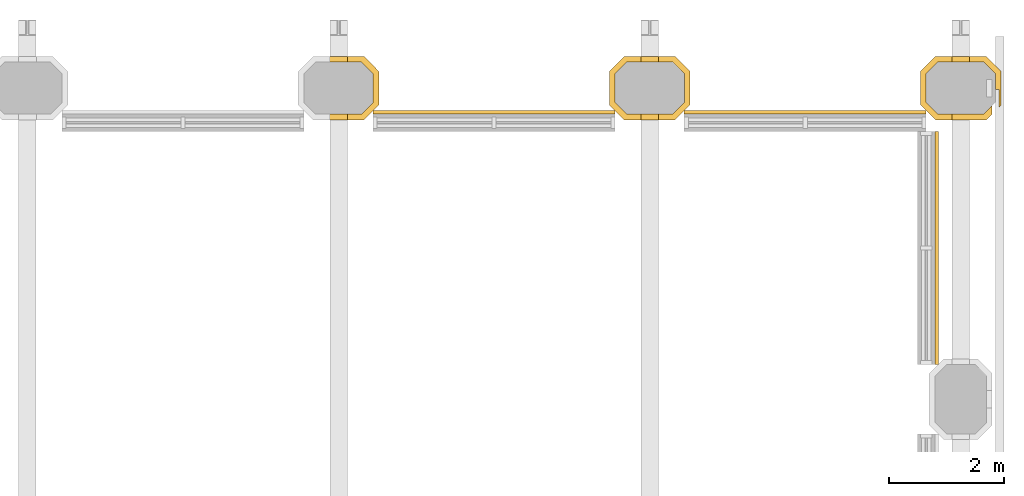
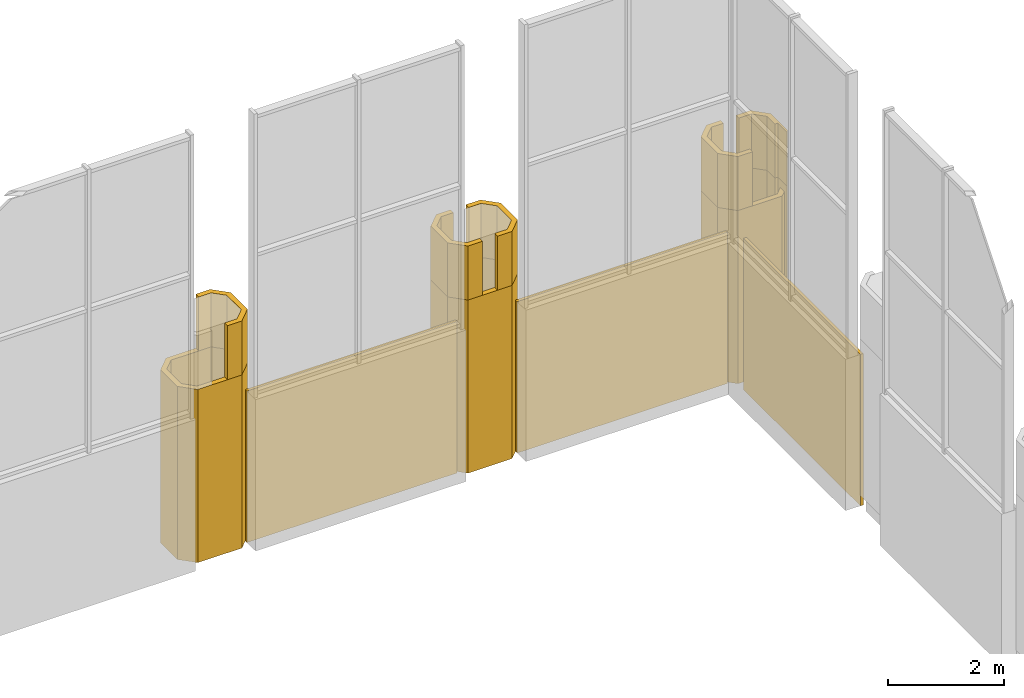
# One storey, part 42 of 42: 11 coverings.
"""IFC4 building model written with IfcOpenShell, lengths in metres."""

from ifc_helpers import new_model, si_unit, direction, frame, frame_2d, origin, place, context, subcontext, project, spatial, polyline, rectangle, outline, extrude, material, layer, layer_set, type_object, element, save


model = new_model("IFC4")

# Units and contexts
model_context = context("Model", 3, precision=1e-05, world=origin(), true_north=direction((0.0, 1.0)))
body_context = subcontext(model_context, "Body", "Model", "MODEL_VIEW")
ifc_project = project(units=[si_unit("LENGTHUNIT", "METRE"), si_unit("AREAUNIT", "SQUARE_METRE"), si_unit("VOLUMEUNIT", "CUBIC_METRE"), si_unit("PLANEANGLEUNIT", "RADIAN"), si_unit("MASSUNIT", "GRAM", prefix="KILO")], contexts=[model_context])

# Site, building, storey
site_placement = place(None, origin())
site = spatial("IfcSite", under=ifc_project, at=site_placement, CompositionType="ELEMENT")
building_placement = place(site_placement, origin())
building = spatial("IfcBuilding", under=site, at=building_placement, Name="Tabaq Tower and Sports Hall", CompositionType="ELEMENT")
storey_placement = place(building_placement, frame((0.0, 0.0, 19.800048828125)))
storey = spatial("IfcBuildingStorey", under=building, at=storey_placement, Name="L03", CompositionType="ELEMENT", Elevation=19.800048828125)

# Coverings
ifc_material_1 = material(Name="Precast concrete C60/75", Category="concrete")
ifc_layer_1 = layer(ifc_material_1, 0.10009765625)
ifc_layer_set_1 = layer_set([ifc_layer_1], Name="Column cladding 100")
covering_type_1 = type_object("IfcCoveringType", Name="Column cladding 100", PredefinedType="CLADDING", material=ifc_layer_set_1)
covering_1_placement = place(storey_placement, origin())
element("IfcCovering", 1, at=covering_1_placement, inside=storey, type_object=covering_type_1, Name="Column cladding L03 HC-22I", PredefinedType="CLADDING", context=body_context, shape_type="SweptSolid", body=[
    extrude(outline(polyline([(112.7001953125, 42.90869140625), (112.7001953125, 43.4912109375), (112.958740234375, 43.749755859375), (113.84130859375, 43.749755859375), (114.099609375, 43.4912109375), (114.099609375, 42.90869140625), (113.84130859375, 42.650390625), (112.958740234375, 42.650390625), (112.7001953125, 42.90869140625)]), holes=[polyline([(113.800048828125, 42.749755859375), (114.000244140625, 42.949951171875), (114.000244140625, 43.4501953125), (113.800048828125, 43.650390625), (112.999755859375, 43.650390625), (112.7998046875, 43.4501953125), (112.7998046875, 42.949951171875), (112.999755859375, 42.749755859375), (113.800048828125, 42.749755859375)])]), origin(), (0.0, 0.0, 1.0), 3.658935546875),
])
covering_2_placement = place(storey_placement, frame((0.0, 0.0, 3.658935546875)))
element("IfcCovering", 2, at=covering_2_placement, inside=storey, type_object=covering_type_1, Name="Column cladding L03 HC-22I head", PredefinedType="CLADDING", context=body_context, shape_type="SweptSolid", body=[
    extrude(outline(polyline([(113.84130859375, 43.749755859375), (114.099609375, 43.4912109375), (114.099609375, 42.90869140625), (113.84130859375, 42.650390625), (113.552978515625, 42.650390625), (113.552978515625, 42.749755859375), (113.800048828125, 42.749755859375), (114.000244140625, 42.949951171875), (114.000244140625, 43.4501953125), (113.800048828125, 43.650390625), (113.552978515625, 43.650390625), (113.552978515625, 43.749755859375), (113.84130859375, 43.749755859375)])), origin(), (0.0, 0.0, 1.0), 1.14111328125),
])
covering_3_placement = place(storey_placement, origin())
element("IfcCovering", 3, at=covering_3_placement, inside=storey, type_object=covering_type_1, Name="Column cladding L03 HC-23I", PredefinedType="CLADDING", context=body_context, shape_type="SweptSolid", body=[
    extrude(outline(polyline([(118.100341796875, 42.90869140625), (118.100341796875, 43.4912109375), (118.358642578125, 43.749755859375), (119.2412109375, 43.749755859375), (119.499755859375, 43.4912109375), (119.499755859375, 42.90869140625), (119.2412109375, 42.650390625), (118.358642578125, 42.650390625), (118.100341796875, 42.90869140625)]), holes=[polyline([(119.2001953125, 42.749755859375), (119.400390625, 42.949951171875), (119.400390625, 43.4501953125), (119.2001953125, 43.650390625), (118.39990234375, 43.650390625), (118.19970703125, 43.4501953125), (118.19970703125, 42.949951171875), (118.39990234375, 42.749755859375), (119.2001953125, 42.749755859375)])]), origin(), (0.0, 0.0, 1.0), 3.658935546875),
])
covering_4_placement = place(storey_placement, frame((0.0, 0.0, 3.658935546875)))
element("IfcCovering", 4, at=covering_4_placement, inside=storey, type_object=covering_type_1, Name="Column cladding L03 HC-23I head", PredefinedType="CLADDING", context=body_context, shape_type="SweptSolid", body=[
    extrude(outline(polyline([(119.2412109375, 43.749755859375), (119.499755859375, 43.4912109375), (119.499755859375, 42.90869140625), (119.2412109375, 42.650390625), (118.952880859375, 42.650390625), (118.952880859375, 42.749755859375), (119.2001953125, 42.749755859375), (119.400390625, 42.949951171875), (119.400390625, 43.4501953125), (119.2001953125, 43.650390625), (118.952880859375, 43.650390625), (118.952880859375, 43.749755859375), (119.2412109375, 43.749755859375)])), origin(), (0.0, 0.0, 1.0), 1.14111328125),
])
covering_5_placement = place(storey_placement, frame((0.0, 0.0, 3.658935546875)))
element("IfcCovering", 5, at=covering_5_placement, inside=storey, type_object=covering_type_1, Name="Column cladding L03 HC-23I head 2", PredefinedType="CLADDING", context=body_context, shape_type="SweptSolid", body=[
    extrude(outline(polyline([(118.100341796875, 43.4912109375), (118.358642578125, 43.749755859375), (118.64697265625, 43.749755859375), (118.64697265625, 43.650390625), (118.39990234375, 43.650390625), (118.19970703125, 43.4501953125), (118.19970703125, 42.949951171875), (118.39990234375, 42.749755859375), (118.64697265625, 42.749755859375), (118.64697265625, 42.650390625), (118.358642578125, 42.650390625), (118.100341796875, 42.90869140625), (118.100341796875, 43.4912109375)])), origin(), (0.0, 0.0, 1.0), 1.14111328125),
])
covering_6_placement = place(storey_placement, origin())
element("IfcCovering", 6, at=covering_6_placement, inside=storey, type_object=covering_type_1, Name="Column cladding L03 HC-24I", PredefinedType="CLADDING", context=body_context, shape_type="SweptSolid", body=[
    extrude(outline(polyline([(123.500244140625, 43.4912109375), (123.7587890625, 43.749755859375), (124.641357421875, 43.749755859375), (124.899658203125, 43.4912109375), (124.899658203125, 42.90869140625), (124.8603515625, 42.869384765625), (124.8603515625, 43.180419921875), (124.80029296875, 43.180419921875), (124.80029296875, 43.4501953125), (124.60009765625, 43.650390625), (123.7998046875, 43.650390625), (123.599609375, 43.4501953125), (123.599609375, 42.949951171875), (123.7998046875, 42.749755859375), (124.60009765625, 42.749755859375), (124.73974609375, 42.88916015625), (124.73974609375, 42.748779296875), (124.641357421875, 42.650390625), (123.7587890625, 42.650390625), (123.500244140625, 42.90869140625), (123.500244140625, 43.4912109375)])), origin(), (0.0, 0.0, 1.0), 3.658935546875),
])
covering_7_placement = place(storey_placement, frame((0.0, 0.0, 3.658935546875)))
element("IfcCovering", 7, at=covering_7_placement, inside=storey, type_object=covering_type_1, Name="Column cladding L03 HC-24I head", PredefinedType="CLADDING", context=body_context, shape_type="SweptSolid", body=[
    extrude(outline(polyline([(123.7587890625, 43.749755859375), (124.047119140625, 43.749755859375), (124.047119140625, 43.650390625), (123.7998046875, 43.650390625), (123.599609375, 43.4501953125), (123.599609375, 42.949951171875), (123.7998046875, 42.749755859375), (124.047119140625, 42.749755859375), (124.047119140625, 42.650390625), (123.7587890625, 42.650390625), (123.500244140625, 42.90869140625), (123.500244140625, 43.4912109375), (123.7587890625, 43.749755859375)])), origin(), (0.0, 0.0, 1.0), 1.14111328125),
])
covering_8_placement = place(storey_placement, frame((0.0, 0.0, 3.658935546875)))
element("IfcCovering", 8, at=covering_8_placement, inside=storey, type_object=covering_type_1, Name="Column cladding L03 HC-24I head 2", PredefinedType="CLADDING", context=body_context, shape_type="SweptSolid", body=[
    extrude(outline(polyline([(124.641357421875, 43.749755859375), (124.899658203125, 43.4912109375), (124.899658203125, 42.90869140625), (124.8603515625, 42.869384765625), (124.8603515625, 43.180419921875), (124.80029296875, 43.180419921875), (124.80029296875, 43.4501953125), (124.60009765625, 43.650390625), (124.35302734375, 43.650390625), (124.35302734375, 43.749755859375), (124.641357421875, 43.749755859375)])), origin(), (0.0, 0.0, 1.0), 1.14111328125),
])
ifc_material_2 = material(Name="Precast concrete C60/75", Category="concrete")
ifc_layer_2 = layer(ifc_material_2, 0.06005859375)
ifc_layer_set_2 = layer_set([ifc_layer_2], Name="White precast cladding panel 60 C60/75")
covering_type_2 = type_object("IfcCoveringType", Name="White precast cladding panel 60 C60/75", PredefinedType="CLADDING", material=ifc_layer_set_2)
covering_9_placement = place(storey_placement, frame((123.780029296875, 38.39990234375, 0.0), z_axis=(0.0, 0.0, 1.0), x_axis=(0.0, 1.0, 0.0)))
element("IfcCovering", 9, at=covering_9_placement, inside=storey, type_object=covering_type_2, Name="White precast cladding panel L03 lo", PredefinedType="CLADDING", context=body_context, shape_type="SweptSolid", body=[
    extrude(rectangle(XDim=4.050048828125, YDim=0.06005859375, at=frame_2d((2.02490234375, 0.0))), origin(), (0.0, 0.0, 1.0), 3.199951171875),
])
covering_10_placement = place(storey_placement, frame((114.0, 42.780029296875, 0.0), z_axis=(0.0, 0.0, 1.0), x_axis=(1.0, 0.0, 0.0)))
element("IfcCovering", 10, at=covering_10_placement, inside=storey, type_object=covering_type_2, Name="White precast cladding panel L03 lo", PredefinedType="CLADDING", context=body_context, shape_type="SweptSolid", body=[
    extrude(rectangle(XDim=4.199951171875, YDim=0.06005859375, at=frame_2d((2.10009765625, 0.0))), origin(), (0.0, 0.0, 1.0), 3.199951171875),
])
covering_11_placement = place(storey_placement, frame((119.39990234375, 42.780029296875, 0.0), z_axis=(0.0, 0.0, 1.0), x_axis=(1.0, 0.0, 0.0)))
element("IfcCovering", 11, at=covering_11_placement, inside=storey, type_object=covering_type_2, Name="White precast cladding panel L03 lo", PredefinedType="CLADDING", context=body_context, shape_type="SweptSolid", body=[
    extrude(rectangle(XDim=4.2001953125, YDim=0.06005859375, at=frame_2d((2.10009765625, 0.0))), origin(), (0.0, 0.0, 1.0), 3.199951171875),
])

save(model, "model.ifc")
